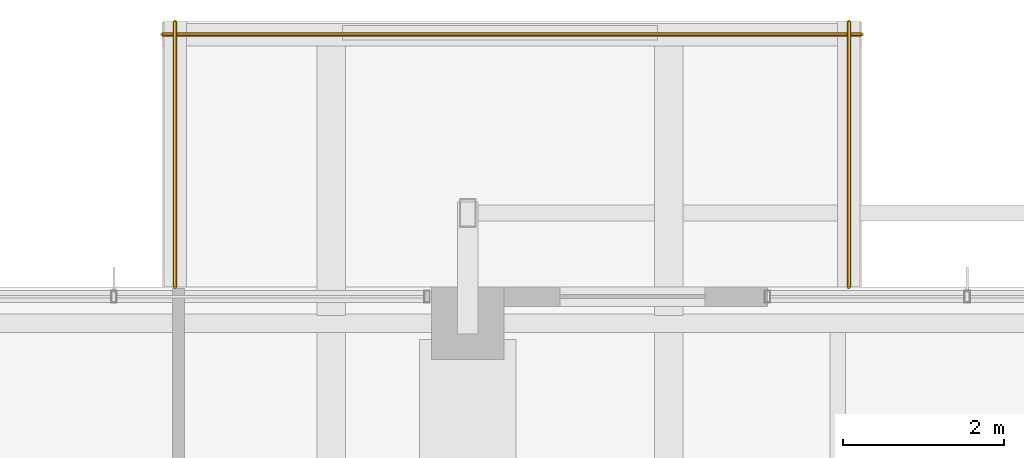
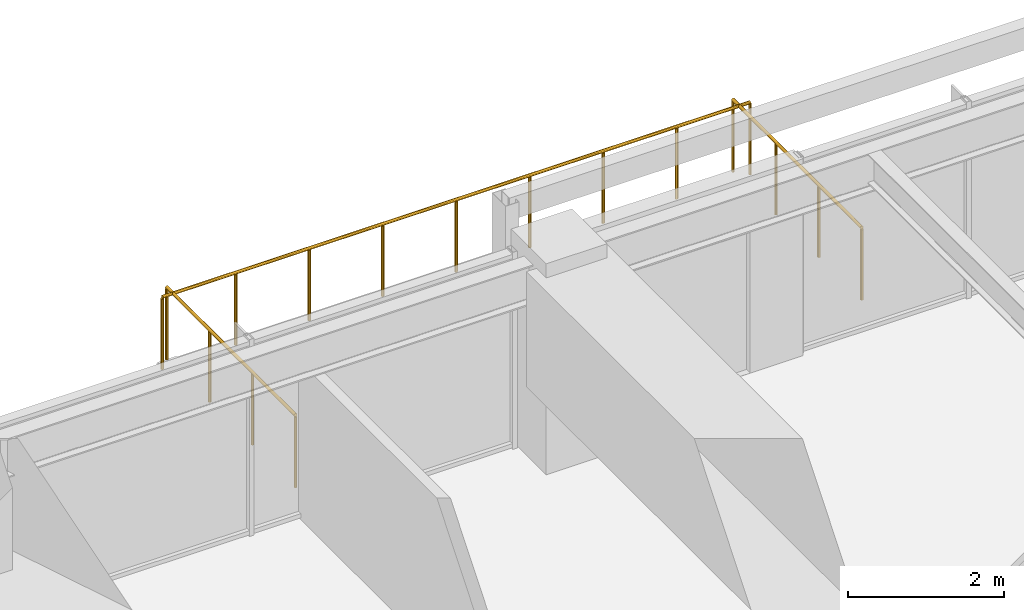
# One storey, part 37 of 37: 3 railings.
"""IFC4 building model written with IfcOpenShell, lengths in metres."""

from ifc_helpers import new_model, si_unit, direction, frame, origin, origin_2d, place, context, subcontext, project, spatial, circle, extrude, material, type_object, element, save


model = new_model("IFC4")

# Units and contexts
model_context = context("Model", 3, precision=1e-05, world=origin(), true_north=direction((0.0, 1.0)))
body_context = subcontext(model_context, "Body", "Model", "MODEL_VIEW")
ifc_project = project(units=[si_unit("LENGTHUNIT", "METRE"), si_unit("AREAUNIT", "SQUARE_METRE"), si_unit("VOLUMEUNIT", "CUBIC_METRE"), si_unit("PLANEANGLEUNIT", "RADIAN"), si_unit("MASSUNIT", "GRAM", prefix="KILO")], contexts=[model_context])

# Site, building, storey
site_placement = place(None, origin())
site = spatial("IfcSite", under=ifc_project, at=site_placement, CompositionType="ELEMENT")
building_placement = place(site_placement, origin())
building = spatial("IfcBuilding", under=site, at=building_placement, Name="Kolvaren Belvedere", CompositionType="ELEMENT")
storey_placement = place(building_placement, frame((0.0, 0.0, 186.60009765625)))
storey = spatial("IfcBuildingStorey", under=building, at=storey_placement, Name="L54", CompositionType="ELEMENT", Elevation=186.60009765625)

# Railings
ifc_material = material(Name="Anodised pale-metal aluminium & laminated glass guard", Category="aluminium")
railing_type = type_object("IfcRailingType", Name="RL-GUARD-1150", PredefinedType="GUARDRAIL", material=ifc_material)
railing_1_placement = place(storey_placement, frame((0.139892578125, 20.39990234375, 0.3798828125)))
element("IfcRailing", 1, at=railing_1_placement, inside=storey, type_object=railing_type, Name="L54 Exterior Deck Safety Guard SPIRAL-08-N-2", PredefinedType="GUARDRAIL", context=body_context, shape_type="SweptSolid", body=[
    extrude(circle(Radius=0.02392578125, at=origin_2d()), frame((0.0, 0.0, 1.1259765625), z_axis=(0.0, 1.0, 0.0), x_axis=(-1.0, 0.0, 0.0)), (0.0, 0.0, 1.0), 3.300048828125),
    extrude(circle(Radius=0.02099609375, at=origin_2d()), origin(), (0.0, 0.0, 1.0), 1.101806640625),
    extrude(circle(Radius=0.02099609375, at=origin_2d()), frame((0.0, 1.10009765625, 0.0)), (0.0, 0.0, 1.0), 1.101806640625),
    extrude(circle(Radius=0.02099609375, at=origin_2d()), frame((0.0, 2.199951171875, 0.0)), (0.0, 0.0, 1.0), 1.101806640625),
    extrude(circle(Radius=0.02099609375, at=origin_2d()), frame((0.0, 3.300048828125, 0.0)), (0.0, 0.0, 1.0), 1.101806640625),
])
railing_2_placement = place(storey_placement, frame((0.300048828125, 23.5400390625, 0.3798828125)))
element("IfcRailing", 2, at=railing_2_placement, inside=storey, type_object=railing_type, Name="L54 Exterior Deck Safety Guard SPIRAL-08-N-3", PredefinedType="GUARDRAIL", context=body_context, shape_type="SweptSolid", body=[
    extrude(circle(Radius=0.02392578125, at=origin_2d()), frame((0.0, 0.0, 1.1259765625), z_axis=(-1.0, 0.0, 0.0), x_axis=(0.0, -1.0, 0.0)), (0.0, 0.0, 1.0), 8.699951171875),
    extrude(circle(Radius=0.02099609375, at=origin_2d()), origin(), (0.0, 0.0, 1.0), 1.101806640625),
    extrude(circle(Radius=0.02099609375, at=origin_2d()), frame((-1.08740234375, 0.0, 0.0)), (0.0, 0.0, 1.0), 1.101806640625),
    extrude(circle(Radius=0.02099609375, at=origin_2d()), frame((-2.175048828125, 0.0, 0.0)), (0.0, 0.0, 1.0), 1.101806640625),
    extrude(circle(Radius=0.02099609375, at=origin_2d()), frame((-3.262451171875, 0.0, 0.0)), (0.0, 0.0, 1.0), 1.101806640625),
    extrude(circle(Radius=0.02099609375, at=origin_2d()), frame((-4.35009765625, 0.0, 0.0)), (0.0, 0.0, 1.0), 1.101806640625),
    extrude(circle(Radius=0.02099609375, at=origin_2d()), frame((-5.4375, 0.0, 0.0)), (0.0, 0.0, 1.0), 1.101806640625),
    extrude(circle(Radius=0.02099609375, at=origin_2d()), frame((-6.52490234375, 0.0, 0.0)), (0.0, 0.0, 1.0), 1.101806640625),
    extrude(circle(Radius=0.02099609375, at=origin_2d()), frame((-7.612548828125, 0.0, 0.0)), (0.0, 0.0, 1.0), 1.101806640625),
    extrude(circle(Radius=0.02099609375, at=origin_2d()), frame((-8.699951171875, 0.0, 0.0)), (0.0, 0.0, 1.0), 1.101806640625),
])
railing_3_placement = place(storey_placement, frame((-8.239990234375, 23.699951171875, 0.3798828125)))
element("IfcRailing", 3, at=railing_3_placement, inside=storey, type_object=railing_type, Name="L54 Exterior Deck Safety Guard SPIRAL-08-N-4", PredefinedType="GUARDRAIL", context=body_context, shape_type="SweptSolid", body=[
    extrude(circle(Radius=0.02392578125, at=origin_2d()), frame((0.0, 0.0, 1.1259765625), z_axis=(0.0, -1.0, 0.0), x_axis=(1.0, 0.0, 0.0)), (0.0, 0.0, 1.0), 3.300048828125),
    extrude(circle(Radius=0.02099609375, at=origin_2d()), origin(), (0.0, 0.0, 1.0), 1.101806640625),
    extrude(circle(Radius=0.02099609375, at=origin_2d()), frame((0.0, -1.10009765625, 0.0)), (0.0, 0.0, 1.0), 1.101806640625),
    extrude(circle(Radius=0.02099609375, at=origin_2d()), frame((0.0, -2.199951171875, 0.0)), (0.0, 0.0, 1.0), 1.101806640625),
    extrude(circle(Radius=0.02099609375, at=origin_2d()), frame((0.0, -3.300048828125, 0.0)), (0.0, 0.0, 1.0), 1.101806640625),
])

save(model, "model.ifc")
